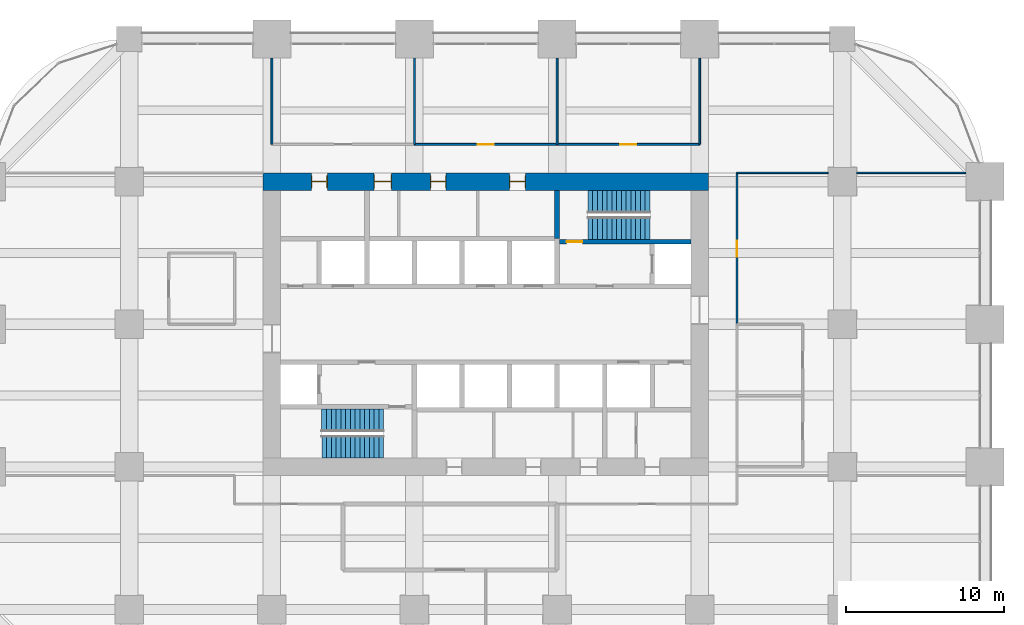
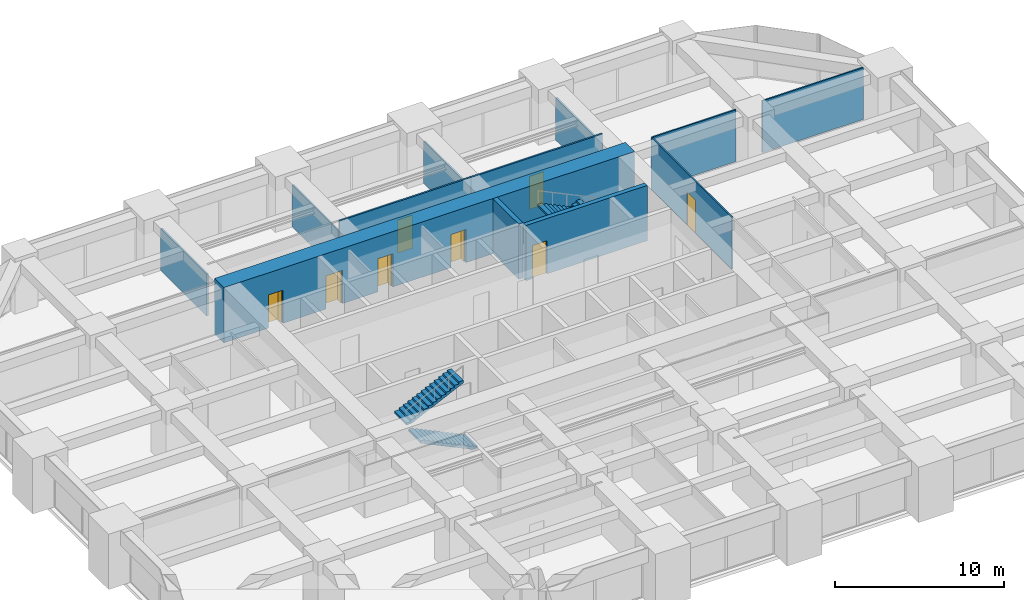
# One storey, part 38 of 39: 12 walls, 8 doors, 4 stair flights, 8 openings, 2 elements without a shape of their own.
"""IFC4 building model written with IfcOpenShell, lengths in metres."""

from ifc_helpers import new_model, si_unit, direction, frame, frame_2d, origin, place, context, subcontext, project, spatial, polyline, rectangle, outline, extrude, material, layer, layer_set, type_object, element, fill, aggregate, save


model = new_model("IFC4")

# Units and contexts
model_context = context("Model", 3, precision=1e-05, world=origin(), true_north=direction((0.0, 1.0)))
body_context = subcontext(model_context, "Body", "Model", "MODEL_VIEW")
ifc_project = project(units=[si_unit("LENGTHUNIT", "METRE"), si_unit("AREAUNIT", "SQUARE_METRE"), si_unit("VOLUMEUNIT", "CUBIC_METRE"), si_unit("PLANEANGLEUNIT", "RADIAN"), si_unit("MASSUNIT", "GRAM", prefix="KILO")], contexts=[model_context])

# Site, building, storey
site_placement = place(None, origin())
site = spatial("IfcSite", under=ifc_project, at=site_placement, CompositionType="ELEMENT")
building_placement = place(site_placement, origin())
building = spatial("IfcBuilding", under=site, at=building_placement, Name="Zorevar Civic Tower", CompositionType="ELEMENT")
storey_placement = place(building_placement, frame((0.0, 0.0, 125.0)))
storey = spatial("IfcBuildingStorey", under=building, at=storey_placement, Name="L30", CompositionType="ELEMENT", Elevation=125.0)

# Wall, openings, doors
ifc_material_1 = material(Name="Concrete C50/60", Category="concrete")
ifc_layer_1 = layer(ifc_material_1, 1.10009765625)
ifc_layer_set_1 = layer_set([ifc_layer_1], Name="Core wall 1100")
wall_type_1 = type_object("IfcWallType", Name="Core wall 1100", PredefinedType="SHEAR", material=ifc_layer_set_1)
wall_1_placement = place(storey_placement, frame((45.550048828125, 36.0, 0.0), z_axis=(0.0, 0.0, 1.0), x_axis=(-1.0, 0.0, 0.0)))
wall_1 = element("IfcWall", 1, at=wall_1_placement, inside=storey, type_object=wall_type_1, Name="Core wall N L30", PredefinedType="SHEAR", context=body_context, shape_type="SweptSolid", body=[
    extrude(rectangle(XDim=28.10009765625, YDim=1.10009765625, at=frame_2d((14.050048828125, 0.0))), origin(), (0.0, 0.0, 1.0), 4.0),
])
opening_1_placement = place(wall_1_placement, frame((11.550048828125, 0.0, 0.0)))
opening_1 = element("IfcOpeningElement", 2, at=opening_1_placement, cuts=wall_1, Name="Opening L30.07", PredefinedType="OPENING", context=body_context, shape_type="SweptSolid", body=[
    extrude(rectangle(XDim=1.0, YDim=2.39990234375, at=frame_2d((0.5, 1.199951171875))), frame((0.0, 0.56005859375, 0.0), z_axis=(0.0, -1.0, 0.0), x_axis=(1.0, 0.0, 0.0)), (0.0, 0.0, 1.0), 1.1201171875),
])
opening_2_placement = place(wall_1_placement, frame((16.550048828125, 0.0, 0.0)))
opening_2 = element("IfcOpeningElement", 3, at=opening_2_placement, cuts=wall_1, Name="Opening L30.08", PredefinedType="OPENING", context=body_context, shape_type="SweptSolid", body=[
    extrude(rectangle(XDim=1.0, YDim=2.39990234375, at=frame_2d((0.5, 1.199951171875))), frame((0.0, 0.56005859375, 0.0), z_axis=(0.0, -1.0, 0.0), x_axis=(1.0, 0.0, 0.0)), (0.0, 0.0, 1.0), 1.1201171875),
])
opening_3_placement = place(wall_1_placement, frame((20.0, 0.0, 0.0)))
opening_3 = element("IfcOpeningElement", 4, at=opening_3_placement, cuts=wall_1, Name="Opening L30.09", PredefinedType="OPENING", context=body_context, shape_type="SweptSolid", body=[
    extrude(rectangle(XDim=1.10009765625, YDim=2.39990234375, at=frame_2d((0.550048828125, 1.199951171875))), frame((0.0, 0.56005859375, 0.0), z_axis=(0.0, -1.0, 0.0), x_axis=(1.0, 0.0, 0.0)), (0.0, 0.0, 1.0), 1.1201171875),
])
opening_4_placement = place(wall_1_placement, frame((24.050048828125, 0.0, 0.0)))
opening_4 = element("IfcOpeningElement", 5, at=opening_4_placement, cuts=wall_1, Name="Opening L30.10", PredefinedType="OPENING", context=body_context, shape_type="SweptSolid", body=[
    extrude(rectangle(XDim=1.0, YDim=2.39990234375, at=frame_2d((0.5, 1.199951171875))), frame((0.0, 0.56005859375, 0.0), z_axis=(0.0, -1.0, 0.0), x_axis=(1.0, 0.0, 0.0)), (0.0, 0.0, 1.0), 1.1201171875),
])
ifc_material_2 = material(Name="Timber door set", Category="wood")
door_type_1 = type_object("IfcDoorType", Name="Door D1 1000x2400", OperationType="SINGLE_SWING_LEFT", PredefinedType="DOOR", material=ifc_material_2)
door_1_placement = place(opening_1_placement, origin())
door_1 = element("IfcDoor", 6, at=door_1_placement, inside=storey, type_object=door_type_1, Name="Door L30 06", OperationType="SINGLE_SWING_LEFT", OverallHeight=2.39990234375, OverallWidth=1.0, PredefinedType="DOOR", context=body_context, shape_type="SweptSolid", body=[
    extrude(rectangle(XDim=1.0, YDim=2.39990234375, at=frame_2d((0.5, 1.199951171875))), frame((0.0, 0.02490234375, 0.0), z_axis=(0.0, -1.0, 0.0), x_axis=(1.0, 0.0, 0.0)), (0.0, 0.0, 1.0), 0.050048828125),
    extrude(rectangle(XDim=0.04, YDim=2.39990234375, at=frame_2d((0.02001953125, 1.199951171875))), frame((0.0, 0.39990234375, 0.0), z_axis=(0.0, -1.0, 0.0), x_axis=(1.0, 0.0, 0.0)), (0.0, 0.0, 1.0), 0.800048828125),
    extrude(rectangle(XDim=0.04, YDim=2.39990234375, at=frame_2d((0.97998046875, 1.199951171875))), frame((0.0, 0.39990234375, 0.0), z_axis=(0.0, -1.0, 0.0), x_axis=(1.0, 0.0, 0.0)), (0.0, 0.0, 1.0), 0.800048828125),
    extrude(rectangle(XDim=1.0, YDim=0.04, at=frame_2d((0.5, 2.3798828125))), frame((0.0, 0.39990234375, 0.0), z_axis=(0.0, -1.0, 0.0), x_axis=(1.0, 0.0, 0.0)), (0.0, 0.0, 1.0), 0.800048828125),
])
fill(opening_1, door_1)
door_2_placement = place(opening_2_placement, origin())
door_2 = element("IfcDoor", 7, at=door_2_placement, inside=storey, type_object=door_type_1, Name="Door L30 07", OperationType="SINGLE_SWING_RIGHT", OverallHeight=2.39990234375, OverallWidth=1.0, PredefinedType="DOOR", context=body_context, shape_type="SweptSolid", body=[
    extrude(rectangle(XDim=1.0, YDim=2.39990234375, at=frame_2d((0.5, 1.199951171875))), frame((0.0, 0.02490234375, 0.0), z_axis=(0.0, -1.0, 0.0), x_axis=(1.0, 0.0, 0.0)), (0.0, 0.0, 1.0), 0.050048828125),
    extrude(rectangle(XDim=0.04, YDim=2.39990234375, at=frame_2d((0.02001953125, 1.199951171875))), frame((0.0, 0.39990234375, 0.0), z_axis=(0.0, -1.0, 0.0), x_axis=(1.0, 0.0, 0.0)), (0.0, 0.0, 1.0), 0.800048828125),
    extrude(rectangle(XDim=0.04, YDim=2.39990234375, at=frame_2d((0.97998046875, 1.199951171875))), frame((0.0, 0.39990234375, 0.0), z_axis=(0.0, -1.0, 0.0), x_axis=(1.0, 0.0, 0.0)), (0.0, 0.0, 1.0), 0.800048828125),
    extrude(rectangle(XDim=1.0, YDim=0.04, at=frame_2d((0.5, 2.3798828125))), frame((0.0, 0.39990234375, 0.0), z_axis=(0.0, -1.0, 0.0), x_axis=(1.0, 0.0, 0.0)), (0.0, 0.0, 1.0), 0.800048828125),
])
fill(opening_2, door_2)
door_3_placement = place(opening_4_placement, origin())
door_3 = element("IfcDoor", 8, at=door_3_placement, inside=storey, type_object=door_type_1, Name="Door L30 09", OperationType="SINGLE_SWING_RIGHT", OverallHeight=2.39990234375, OverallWidth=1.0, PredefinedType="DOOR", context=body_context, shape_type="SweptSolid", body=[
    extrude(rectangle(XDim=1.0, YDim=2.39990234375, at=frame_2d((0.5, 1.199951171875))), frame((0.0, 0.02490234375, 0.0), z_axis=(0.0, -1.0, 0.0), x_axis=(1.0, 0.0, 0.0)), (0.0, 0.0, 1.0), 0.050048828125),
    extrude(rectangle(XDim=0.04, YDim=2.39990234375, at=frame_2d((0.02001953125, 1.199951171875))), frame((0.0, 0.39990234375, 0.0), z_axis=(0.0, -1.0, 0.0), x_axis=(1.0, 0.0, 0.0)), (0.0, 0.0, 1.0), 0.800048828125),
    extrude(rectangle(XDim=0.04, YDim=2.39990234375, at=frame_2d((0.97998046875, 1.199951171875))), frame((0.0, 0.39990234375, 0.0), z_axis=(0.0, -1.0, 0.0), x_axis=(1.0, 0.0, 0.0)), (0.0, 0.0, 1.0), 0.800048828125),
    extrude(rectangle(XDim=1.0, YDim=0.04, at=frame_2d((0.5, 2.3798828125))), frame((0.0, 0.39990234375, 0.0), z_axis=(0.0, -1.0, 0.0), x_axis=(1.0, 0.0, 0.0)), (0.0, 0.0, 1.0), 0.800048828125),
])
fill(opening_4, door_3)
ifc_material_3 = material(Name="Timber door set", Category="wood")
door_type_2 = type_object("IfcDoorType", Name="Door D5 1100x2400", OperationType="SINGLE_SWING_LEFT", PredefinedType="DOOR", material=ifc_material_3)
door_4_placement = place(opening_3_placement, origin())
door_4 = element("IfcDoor", 9, at=door_4_placement, inside=storey, type_object=door_type_2, Name="Door L30 08", OperationType="SINGLE_SWING_RIGHT", OverallHeight=2.39990234375, OverallWidth=1.10009765625, PredefinedType="DOOR", context=body_context, shape_type="SweptSolid", body=[
    extrude(rectangle(XDim=1.10009765625, YDim=2.39990234375, at=frame_2d((0.550048828125, 1.199951171875))), frame((0.0, 0.02490234375, 0.0), z_axis=(0.0, -1.0, 0.0), x_axis=(1.0, 0.0, 0.0)), (0.0, 0.0, 1.0), 0.050048828125),
    extrude(rectangle(XDim=0.04, YDim=2.39990234375, at=frame_2d((0.02001953125, 1.199951171875))), frame((0.0, 0.43994140625, 0.0), z_axis=(0.0, -1.0, 0.0), x_axis=(1.0, 0.0, 0.0)), (0.0, 0.0, 1.0), 0.880126953125),
    extrude(rectangle(XDim=0.04, YDim=2.39990234375, at=frame_2d((1.080078125, 1.199951171875))), frame((0.0, 0.43994140625, 0.0), z_axis=(0.0, -1.0, 0.0), x_axis=(1.0, 0.0, 0.0)), (0.0, 0.0, 1.0), 0.880126953125),
    extrude(rectangle(XDim=1.10009765625, YDim=0.04, at=frame_2d((0.550048828125, 2.3798828125))), frame((0.0, 0.43994140625, 0.0), z_axis=(0.0, -1.0, 0.0), x_axis=(1.0, 0.0, 0.0)), (0.0, 0.0, 1.0), 0.880126953125),
])
fill(opening_3, door_4)

# Walls
ifc_material_4 = material(Name="Laminated glass in black aluminium frame", Category="aluminium")
ifc_layer_2 = layer(ifc_material_4, 0.10009765625)
ifc_layer_set_2 = layer_set([ifc_layer_2], Name="Glazed partition 100")
wall_type_2 = type_object("IfcWallType", Name="Glazed partition 100", PredefinedType="PARTITIONING", material=ifc_layer_set_2)
wall_2_placement = place(storey_placement, frame((47.35009765625, 36.550048828125, 0.0), z_axis=(0.0, 0.0, 1.0), x_axis=(1.0, 0.0, 0.0)))
element("IfcWall", 10, at=wall_2_placement, inside=storey, type_object=wall_type_2, Name="Glazed partition 100 L30", PredefinedType="PARTITIONING", context=body_context, shape_type="SweptSolid", body=[
    extrude(rectangle(XDim=5.75, YDim=0.10009765625, at=frame_2d((2.875, 0.0))), origin(), (0.0, 0.0, 1.0), 3.75),
])
wall_3_placement = place(storey_placement, frame((54.89990234375, 36.550048828125, 0.0), z_axis=(0.0, 0.0, 1.0), x_axis=(1.0, 0.0, 0.0)))
element("IfcWall", 11, at=wall_3_placement, inside=storey, type_object=wall_type_2, Name="Glazed partition 100 L30", PredefinedType="PARTITIONING", context=body_context, shape_type="SweptSolid", body=[
    extrude(rectangle(XDim=6.900146484375, YDim=0.10009765625, at=frame_2d((3.4501953125, 0.0))), origin(), (0.0, 0.0, 1.0), 3.75),
])

# Wall, opening, door
wall_4_placement = place(storey_placement, frame((47.35009765625, 27.0, 0.0), z_axis=(0.0, 0.0, 1.0), x_axis=(0.0, 1.0, 0.0)))
wall_4 = element("IfcWall", 12, at=wall_4_placement, inside=storey, type_object=wall_type_2, Name="Glazed partition 100 L30", PredefinedType="PARTITIONING", context=body_context, shape_type="SweptSolid", body=[
    extrude(rectangle(XDim=9.550048828125, YDim=0.10009765625, at=frame_2d((4.77490234375, 0.0))), origin(), (0.0, 0.0, 1.0), 3.75),
])
opening_5_placement = place(wall_4_placement, frame((4.27490234375, 0.0, 0.0)))
opening_5 = element("IfcOpeningElement", 13, at=opening_5_placement, cuts=wall_4, Name="Opening L30.26", PredefinedType="OPENING", context=body_context, shape_type="SweptSolid", body=[
    extrude(rectangle(XDim=1.0, YDim=2.39990234375, at=frame_2d((0.5, 1.199951171875))), frame((0.0, 0.06005859375, 0.0), z_axis=(0.0, -1.0, 0.0), x_axis=(1.0, 0.0, 0.0)), (0.0, 0.0, 1.0), 0.1201171875),
])
ifc_material_5 = material(Name="Timber door set", Category="wood")
door_type_3 = type_object("IfcDoorType", Name="Glazed door GD1 1000x2400", OperationType="SINGLE_SWING_LEFT", PredefinedType="DOOR", material=ifc_material_5)
door_5_placement = place(opening_5_placement, origin())
door_5 = element("IfcDoor", 14, at=door_5_placement, inside=storey, type_object=door_type_3, Name="Door L30 D1", OperationType="SINGLE_SWING_LEFT", OverallHeight=2.39990234375, OverallWidth=1.0, PredefinedType="DOOR", context=body_context, shape_type="SweptSolid", body=[
    extrude(rectangle(XDim=1.0, YDim=2.39990234375, at=frame_2d((0.5, 1.199951171875))), frame((0.0, 0.02001953125, 0.0), z_axis=(0.0, -1.0, 0.0), x_axis=(1.0, 0.0, 0.0)), (0.0, 0.0, 1.0), 0.0400390625),
])
fill(opening_5, door_5)

ifc_material_6 = material(Name="Concrete C40/50", Category="concrete")
ifc_layer_3 = layer(ifc_material_6, 0.300048828125)
ifc_layer_set_3 = layer_set([ifc_layer_3], Name="Inner core wall 300")
wall_type_3 = type_object("IfcWallType", Name="Inner core wall 300", PredefinedType="SHEAR", material=ifc_layer_set_3)
wall_5_placement = place(storey_placement, frame((36.14990234375, 32.199951171875, 0.0), z_axis=(0.0, 0.0, 1.0), x_axis=(1.0, 0.0, 0.0)))
wall_5 = element("IfcWall", 15, at=wall_5_placement, inside=storey, type_object=wall_type_3, Name="Inner core wall N00 L30", PredefinedType="SHEAR", context=body_context, shape_type="SweptSolid", body=[
    extrude(rectangle(XDim=8.300048828125, YDim=0.300048828125, at=frame_2d((4.14990234375, 0.0))), origin(), (0.0, 0.0, 1.0), 4.0),
])
opening_6_placement = place(wall_5_placement, frame((0.449951171875, 0.0, 0.0)))
opening_6 = element("IfcOpeningElement", 16, at=opening_6_placement, cuts=wall_5, Name="Opening L30.12", PredefinedType="OPENING", context=body_context, shape_type="SweptSolid", body=[
    extrude(rectangle(XDim=1.0, YDim=2.39990234375, at=frame_2d((0.5, 1.199951171875))), frame((0.0, 0.159912109375, 0.0), z_axis=(0.0, -1.0, 0.0), x_axis=(1.0, 0.0, 0.0)), (0.0, 0.0, 1.0), 0.320068359375),
])
ifc_material_7 = material(Name="Steel door set", Category="steel")
door_type_4 = type_object("IfcDoorType", Name="Fire door FD1 1000x2400", OperationType="SINGLE_SWING_LEFT", PredefinedType="DOOR", material=ifc_material_7)
door_6_placement = place(opening_6_placement, origin())
door_6 = element("IfcDoor", 17, at=door_6_placement, inside=storey, type_object=door_type_4, Name="Door L30 11", OperationType="SINGLE_SWING_RIGHT", OverallHeight=2.39990234375, OverallWidth=1.0, PredefinedType="DOOR", context=body_context, shape_type="SweptSolid", body=[
    extrude(rectangle(XDim=1.0, YDim=2.39990234375, at=frame_2d((0.5, 1.199951171875))), frame((0.0, 0.030029296875, 0.0), z_axis=(0.0, -1.0, 0.0), x_axis=(1.0, 0.0, 0.0)), (0.0, 0.0, 1.0), 0.06005859375),
])
fill(opening_6, door_6)

# Wall
wall_6_placement = place(storey_placement, frame((36.0, 32.39990234375, 0.0), z_axis=(0.0, 0.0, 1.0), x_axis=(0.0, 1.0, 0.0)))
element("IfcWall", 18, at=wall_6_placement, inside=storey, type_object=wall_type_3, Name="Inner core wall N01 L30", PredefinedType="SHEAR", context=body_context, shape_type="SweptSolid", body=[
    extrude(rectangle(XDim=3.050048828125, YDim=0.300048828125, at=frame_2d((1.52490234375, 0.0))), origin(), (0.0, 0.0, 1.0), 4.0),
])

# Wall, opening, door
ifc_material_8 = material(Name="Gypsum board on steel studs", Category="steel")
ifc_layer_4 = layer(ifc_material_8, 0.1201171875)
ifc_layer_set_4 = layer_set([ifc_layer_4], Name="Partition 120")
wall_type_4 = type_object("IfcWallType", Name="Partition 120", PredefinedType="PARTITIONING", material=ifc_layer_set_4)
wall_7_placement = place(storey_placement, frame((27.0, 38.35009765625, 0.0), z_axis=(0.0, 0.0, 1.0), x_axis=(1.0, 0.0, 0.0)))
wall_7 = element("IfcWall", 19, at=wall_7_placement, inside=storey, type_object=wall_type_4, Name="Partition 120 L30", PredefinedType="PARTITIONING", context=body_context, shape_type="SweptSolid", body=[
    extrude(rectangle(XDim=9.0, YDim=0.1201171875, at=frame_2d((4.5, 0.0))), origin(), (0.0, 0.0, 1.0), 3.75),
])
opening_7_placement = place(wall_7_placement, frame((4.0, 0.0, 0.0)))
opening_7 = element("IfcOpeningElement", 20, at=opening_7_placement, cuts=wall_7, Name="Opening L30.23", PredefinedType="OPENING", context=body_context, shape_type="SweptSolid", body=[
    extrude(rectangle(XDim=1.0, YDim=2.39990234375, at=frame_2d((0.5, 1.199951171875))), frame((0.0, 0.070068359375, 0.0), z_axis=(0.0, -1.0, 0.0), x_axis=(1.0, 0.0, 0.0)), (0.0, 0.0, 1.0), 0.14013671875),
])
door_7_placement = place(opening_7_placement, origin())
door_7 = element("IfcDoor", 21, at=door_7_placement, inside=storey, type_object=door_type_1, Name="Door L30 D1", OperationType="SINGLE_SWING_RIGHT", OverallHeight=2.39990234375, OverallWidth=1.0, PredefinedType="DOOR", context=body_context, shape_type="SweptSolid", body=[
    extrude(rectangle(XDim=1.0, YDim=2.39990234375, at=frame_2d((0.5, 1.199951171875))), frame((0.0, 0.02490234375, 0.0), z_axis=(0.0, -1.0, 0.0), x_axis=(1.0, 0.0, 0.0)), (0.0, 0.0, 1.0), 0.050048828125),
])
fill(opening_7, door_7)

wall_8_placement = place(storey_placement, frame((36.0, 38.35009765625, 0.0), z_axis=(0.0, 0.0, 1.0), x_axis=(1.0, 0.0, 0.0)))
wall_8 = element("IfcWall", 22, at=wall_8_placement, inside=storey, type_object=wall_type_4, Name="Partition 120 L30", PredefinedType="PARTITIONING", context=body_context, shape_type="SweptSolid", body=[
    extrude(rectangle(XDim=9.0, YDim=0.1201171875, at=frame_2d((4.5, 0.0))), origin(), (0.0, 0.0, 1.0), 3.75),
])
opening_8_placement = place(wall_8_placement, frame((4.0, 0.0, 0.0)))
opening_8 = element("IfcOpeningElement", 23, at=opening_8_placement, cuts=wall_8, Name="Opening L30.24", PredefinedType="OPENING", context=body_context, shape_type="SweptSolid", body=[
    extrude(rectangle(XDim=1.0, YDim=2.39990234375, at=frame_2d((0.5, 1.199951171875))), frame((0.0, 0.070068359375, 0.0), z_axis=(0.0, -1.0, 0.0), x_axis=(1.0, 0.0, 0.0)), (0.0, 0.0, 1.0), 0.14013671875),
])
door_8_placement = place(opening_8_placement, origin())
door_8 = element("IfcDoor", 24, at=door_8_placement, inside=storey, type_object=door_type_1, Name="Door L30 D1", OperationType="SINGLE_SWING_RIGHT", OverallHeight=2.39990234375, OverallWidth=1.0, PredefinedType="DOOR", context=body_context, shape_type="SweptSolid", body=[
    extrude(rectangle(XDim=1.0, YDim=2.39990234375, at=frame_2d((0.5, 1.199951171875))), frame((0.0, 0.02490234375, 0.0), z_axis=(0.0, -1.0, 0.0), x_axis=(1.0, 0.0, 0.0)), (0.0, 0.0, 1.0), 0.050048828125),
])
fill(opening_8, door_8)

# Walls
for number, where, z_axis, x_axis, name in (
    (25, (18.0, 38.35009765625, 0.0), (0.0, 0.0, 1.0), (0.0, 1.0, 0.0), "Partition 120 L30"),
    (26, (27.0, 38.35009765625, 0.0), (0.0, 0.0, 1.0), (0.0, 1.0, 0.0), "Partition 120 L30"),
    (27, (36.0, 38.35009765625, 0.0), (0.0, 0.0, 1.0), (0.0, 1.0, 0.0), "Partition 120 L30"),
    (28, (45.0, 38.35009765625, 0.0), (0.0, 0.0, 1.0), (0.0, 1.0, 0.0), "Partition 120 L30"),
):
    element("IfcWall", number, at=place(storey_placement, frame(where, z_axis=z_axis, x_axis=x_axis)), inside=storey, type_object=wall_type_4, Name=name, PredefinedType="PARTITIONING", context=body_context, shape_type="SweptSolid", body=[
        extrude(rectangle(XDim=5.449951171875, YDim=0.1201171875, at=frame_2d((2.72509765625, 0.0))), origin(), (0.0, 0.0, 1.0), 3.050048828125),
    ])

# Stair, stair flights
ifc_material_9 = material(Name="Precast concrete C40/50", Category="concrete")
stair_type = type_object("IfcStairType", Name="Stair ST 28R", PredefinedType="HALF_TURN_STAIR", material=ifc_material_9)
stair_1_placement = place(storey_placement, origin())
stair_1 = element("IfcStair", 29, at=stair_1_placement, inside=storey, type_object=stair_type, Name="Stair ST1 L30", PredefinedType="HALF_TURN_STAIR")
ifc_material_10 = material(Name="Precast concrete C40/50", Category="concrete")
stair_flight_type = type_object("IfcStairFlightType", Name="Stair flight", PredefinedType="STRAIGHT", material=ifc_material_10)
stair_flight_1_placement = place(storey_placement, frame((25.050048828125, 19.262451171875, 0.0), z_axis=(0.0, 0.0, 1.0), x_axis=(-1.0, 0.0, 0.0)))
stair_flight_1 = element("IfcStairFlight", 30, at=stair_flight_1_placement, type_object=stair_flight_type, Name="ST1 flight 1", NumberOfRisers=14, NumberOfTreads=13, PredefinedType="STRAIGHT", RiserHeight=0.142857143, TreadLength=0.3, context=body_context, shape_type="SweptSolid", body=[
    extrude(outline(polyline([(0.0, 0.0), (0.0, 0.142822265625), (0.300048828125, 0.142822265625), (0.300048828125, 0.28564453125), (0.60009765625, 0.28564453125), (0.60009765625, 0.428466796875), (0.89990234375, 0.428466796875), (0.89990234375, 0.571533203125), (1.199951171875, 0.571533203125), (1.199951171875, 0.71435546875), (1.5, 0.71435546875), (1.5, 0.857177734375), (1.800048828125, 0.857177734375), (1.800048828125, 1.0), (2.10009765625, 1.0), (2.10009765625, 1.142822265625), (2.39990234375, 1.142822265625), (2.39990234375, 1.28564453125), (2.699951171875, 1.28564453125), (2.699951171875, 1.428466796875), (3.0, 1.428466796875), (3.0, 1.571533203125), (3.300048828125, 1.571533203125), (3.300048828125, 1.71435546875), (3.60009765625, 1.71435546875), (3.60009765625, 1.857177734375), (3.89990234375, 1.857177734375), (3.89990234375, 2.0), (3.89990234375, 1.691162109375), (0.3486328125, 0.0), (0.0, 0.0)])), frame((0.0, 0.71240234375, 0.0), z_axis=(0.0, -1.0, 0.0), x_axis=(1.0, 0.0, 0.0)), (0.0, 0.0, 1.0), 1.425048828125),
])
stair_flight_2_placement = place(storey_placement, frame((21.14990234375, 20.9375, 2.0), z_axis=(0.0, 0.0, 1.0), x_axis=(1.0, 0.0, 0.0)))
stair_flight_2 = element("IfcStairFlight", 31, at=stair_flight_2_placement, type_object=stair_flight_type, Name="ST1 flight 2", NumberOfRisers=14, NumberOfTreads=13, PredefinedType="STRAIGHT", RiserHeight=0.142857143, TreadLength=0.3, context=body_context, shape_type="SweptSolid", body=[
    extrude(outline(polyline([(0.0, 0.0), (0.0, 0.142822265625), (0.300048828125, 0.142822265625), (0.300048828125, 0.28564453125), (0.60009765625, 0.28564453125), (0.60009765625, 0.428466796875), (0.89990234375, 0.428466796875), (0.89990234375, 0.571533203125), (1.199951171875, 0.571533203125), (1.199951171875, 0.71435546875), (1.5, 0.71435546875), (1.5, 0.857177734375), (1.800048828125, 0.857177734375), (1.800048828125, 1.0), (2.10009765625, 1.0), (2.10009765625, 1.142822265625), (2.39990234375, 1.142822265625), (2.39990234375, 1.28564453125), (2.699951171875, 1.28564453125), (2.699951171875, 1.428466796875), (3.0, 1.428466796875), (3.0, 1.571533203125), (3.300048828125, 1.571533203125), (3.300048828125, 1.71435546875), (3.60009765625, 1.71435546875), (3.60009765625, 1.857177734375), (3.89990234375, 1.857177734375), (3.89990234375, 2.0), (3.89990234375, 1.691162109375), (0.3486328125, 0.0), (0.0, 0.0)])), frame((0.0, 0.71240234375, 0.0), z_axis=(0.0, -1.0, 0.0), x_axis=(1.0, 0.0, 0.0)), (0.0, 0.0, 1.0), 1.425048828125),
])
aggregate(stair_1, [stair_flight_1, stair_flight_2])

stair_2_placement = place(storey_placement, origin())
stair_2 = element("IfcStair", 32, at=stair_2_placement, inside=storey, type_object=stair_type, Name="Stair ST2 L30", PredefinedType="HALF_TURN_STAIR")
stair_flight_3_placement = place(storey_placement, frame((37.949951171875, 34.737548828125, 0.0), z_axis=(0.0, 0.0, 1.0), x_axis=(1.0, 0.0, 0.0)))
stair_flight_3 = element("IfcStairFlight", 33, at=stair_flight_3_placement, type_object=stair_flight_type, Name="ST2 flight 1", NumberOfRisers=14, NumberOfTreads=13, PredefinedType="STRAIGHT", RiserHeight=0.142857143, TreadLength=0.3, context=body_context, shape_type="SweptSolid", body=[
    extrude(outline(polyline([(0.0, 0.0), (0.0, 0.142822265625), (0.300048828125, 0.142822265625), (0.300048828125, 0.28564453125), (0.60009765625, 0.28564453125), (0.60009765625, 0.428466796875), (0.89990234375, 0.428466796875), (0.89990234375, 0.571533203125), (1.199951171875, 0.571533203125), (1.199951171875, 0.71435546875), (1.5, 0.71435546875), (1.5, 0.857177734375), (1.800048828125, 0.857177734375), (1.800048828125, 1.0), (2.10009765625, 1.0), (2.10009765625, 1.142822265625), (2.39990234375, 1.142822265625), (2.39990234375, 1.28564453125), (2.699951171875, 1.28564453125), (2.699951171875, 1.428466796875), (3.0, 1.428466796875), (3.0, 1.571533203125), (3.300048828125, 1.571533203125), (3.300048828125, 1.71435546875), (3.60009765625, 1.71435546875), (3.60009765625, 1.857177734375), (3.89990234375, 1.857177734375), (3.89990234375, 2.0), (3.89990234375, 1.691162109375), (0.3486328125, 0.0), (0.0, 0.0)])), frame((0.0, 0.71240234375, 0.0), z_axis=(0.0, -1.0, 0.0), x_axis=(1.0, 0.0, 0.0)), (0.0, 0.0, 1.0), 1.425048828125),
])
stair_flight_4_placement = place(storey_placement, frame((41.85009765625, 33.0625, 2.0), z_axis=(0.0, 0.0, 1.0), x_axis=(-1.0, 0.0, 0.0)))
stair_flight_4 = element("IfcStairFlight", 34, at=stair_flight_4_placement, type_object=stair_flight_type, Name="ST2 flight 2", NumberOfRisers=14, NumberOfTreads=13, PredefinedType="STRAIGHT", RiserHeight=0.142857143, TreadLength=0.3, context=body_context, shape_type="SweptSolid", body=[
    extrude(outline(polyline([(0.0, 0.0), (0.0, 0.142822265625), (0.300048828125, 0.142822265625), (0.300048828125, 0.28564453125), (0.60009765625, 0.28564453125), (0.60009765625, 0.428466796875), (0.89990234375, 0.428466796875), (0.89990234375, 0.571533203125), (1.199951171875, 0.571533203125), (1.199951171875, 0.71435546875), (1.5, 0.71435546875), (1.5, 0.857177734375), (1.800048828125, 0.857177734375), (1.800048828125, 1.0), (2.10009765625, 1.0), (2.10009765625, 1.142822265625), (2.39990234375, 1.142822265625), (2.39990234375, 1.28564453125), (2.699951171875, 1.28564453125), (2.699951171875, 1.428466796875), (3.0, 1.428466796875), (3.0, 1.571533203125), (3.300048828125, 1.571533203125), (3.300048828125, 1.71435546875), (3.60009765625, 1.71435546875), (3.60009765625, 1.857177734375), (3.89990234375, 1.857177734375), (3.89990234375, 2.0), (3.89990234375, 1.691162109375), (0.3486328125, 0.0), (0.0, 0.0)])), frame((0.0, 0.71240234375, 0.0), z_axis=(0.0, -1.0, 0.0), x_axis=(1.0, 0.0, 0.0)), (0.0, 0.0, 1.0), 1.425048828125),
])
aggregate(stair_2, [stair_flight_3, stair_flight_4])

save(model, "model.ifc")
